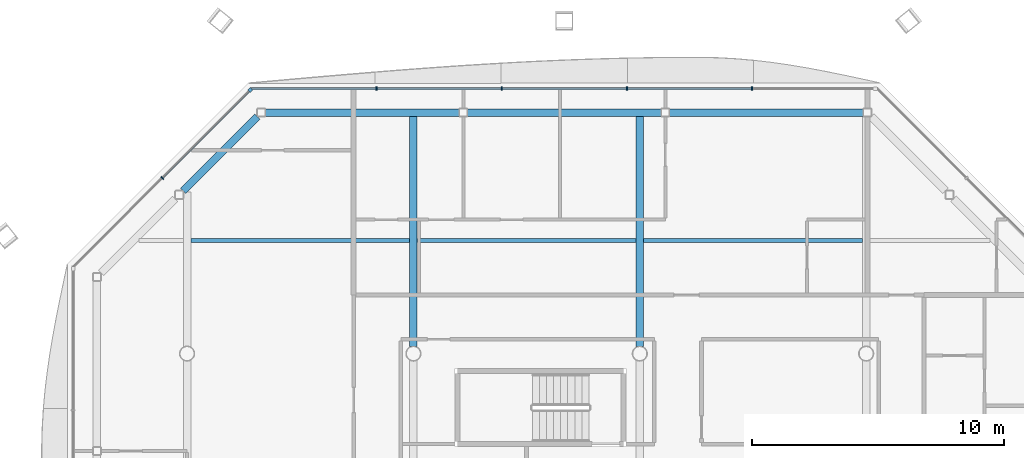
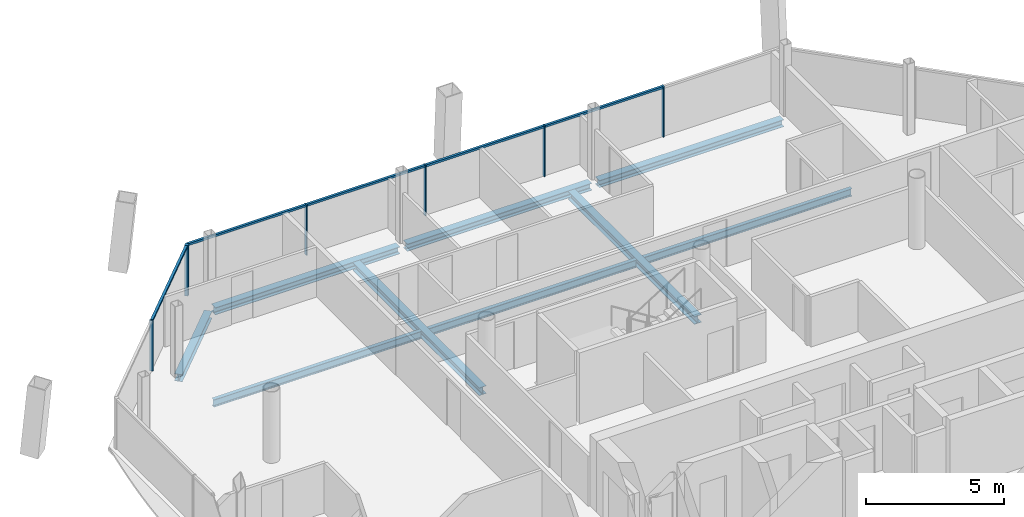
# One storey, part 9 of 19: 11 members, 9 beams, 2 elements without a shape of their own.
"""IFC4 building model written with IfcOpenShell, lengths in metres."""

from ifc_helpers import new_model, si_unit, direction, frame, origin, origin_2d, place, context, subcontext, project, spatial, rectangle, i_section, extrude, material, material_profile, profile_set, type_object, element, aggregate, save


model = new_model("IFC4")

# Units and contexts
model_context = context("Model", 3, precision=1e-05, world=origin(), true_north=direction((0.0, 1.0)))
body_context = subcontext(model_context, "Body", "Model", "MODEL_VIEW")
ifc_project = project(units=[si_unit("LENGTHUNIT", "METRE"), si_unit("AREAUNIT", "SQUARE_METRE"), si_unit("VOLUMEUNIT", "CUBIC_METRE"), si_unit("PLANEANGLEUNIT", "RADIAN"), si_unit("MASSUNIT", "GRAM", prefix="KILO")], contexts=[model_context])

# Site, building, storey
site_placement = place(None, origin())
site = spatial("IfcSite", under=ifc_project, at=site_placement, CompositionType="ELEMENT")
building_placement = place(site_placement, origin())
building = spatial("IfcBuilding", under=site, at=building_placement, Name="Tskaro Facet Tower", CompositionType="ELEMENT")
storey_placement = place(building_placement, frame((0.0, 0.0, 206.85009765625)))
storey = spatial("IfcBuildingStorey", under=building, at=storey_placement, Name="L53", CompositionType="ELEMENT", Elevation=206.85009765625)

# Curtain wall, member
ifc_material_1 = material(Name="Bronze anodised aluminium 6063-T6", Category="aluminium")
curtain_wall_type = type_object("IfcCurtainWallType", Name="Bronze residence curtain wall (FW3)", PredefinedType="NOTDEFINED", material=ifc_material_1)
curtain_wall_1_placement = place(storey_placement, origin())
curtain_wall_1 = element("IfcCurtainWall", 1, at=curtain_wall_1_placement, inside=storey, type_object=curtain_wall_type, Name="FW3 north-west facet L53", PredefinedType="NOTDEFINED")
ifc_material_profile_1 = material_profile(ifc_material_1, rectangle(XDim=0.139892578125, YDim=0.139892578125, at=origin_2d()), Name="Corner post 140x140")
ifc_profile_set_1 = profile_set([ifc_material_profile_1], Name="Bronze anodised aluminium 6063-T6")
member_type_1 = type_object("IfcMemberType", Name="FW3 bronze corner post 140x140", PredefinedType="MULLION", material=ifc_profile_set_1)
member_1_placement = place(storey_placement, frame((-15.488525390625, 19.4833984375, 0.0), z_axis=(0.0, 0.0, 1.0), x_axis=(-0.707106781187, -0.707106781187, 0.0)))
member_1 = element("IfcMember", 2, at=member_1_placement, type_object=member_type_1, Name="FW3 north-west corner post", PredefinedType="MULLION", context=body_context, shape_type="SweptSolid", body=[
    extrude(rectangle(XDim=0.139892578125, YDim=0.139892578125, at=origin_2d()), origin(), (0.0, 0.0, 1.0), 2.239990234375),
])

# Curtain wall, members
curtain_wall_2_placement = place(storey_placement, origin())
curtain_wall_2 = element("IfcCurtainWall", 3, at=curtain_wall_2_placement, inside=storey, type_object=curtain_wall_type, Name="FW3 north facet L53", PredefinedType="NOTDEFINED")
ifc_material_profile_2 = material_profile(ifc_material_1, rectangle(XDim=0.050048828125, YDim=0.139892578125, at=origin_2d()), Name="Mullion 50x140")
ifc_profile_set_2 = profile_set([ifc_material_profile_2], Name="Bronze anodised aluminium 6063-T6")
member_type_2 = type_object("IfcMemberType", Name="FW3 bronze mullion 50x140", PredefinedType="MULLION", material=ifc_profile_set_2)
member_2_placement = place(storey_placement, frame((4.46337890625, 19.532958984375, 0.0), z_axis=(0.0, 0.0, 1.0), x_axis=(-1.0, 0.0, 0.0)))
member_2 = element("IfcMember", 4, at=member_2_placement, type_object=member_type_2, Name="FW3 north mullion 1", PredefinedType="MULLION", context=body_context, shape_type="SweptSolid", body=[
    extrude(rectangle(XDim=0.050048828125, YDim=0.139892578125, at=origin_2d()), origin(), (0.0, 0.0, 1.0), 2.239990234375),
])
member_3_placement = place(storey_placement, frame((-0.51220703125, 19.532958984375, 0.0), z_axis=(0.0, 0.0, 1.0), x_axis=(-1.0, 0.0, 0.0)))
member_3 = element("IfcMember", 5, at=member_3_placement, type_object=member_type_2, Name="FW3 north mullion 2", PredefinedType="MULLION", context=body_context, shape_type="SweptSolid", body=[
    extrude(rectangle(XDim=0.050048828125, YDim=0.139892578125, at=origin_2d()), origin(), (0.0, 0.0, 1.0), 2.239990234375),
])
member_4_placement = place(storey_placement, frame((-5.48779296875, 19.532958984375, 0.0), z_axis=(0.0, 0.0, 1.0), x_axis=(-1.0, 0.0, 0.0)))
member_4 = element("IfcMember", 6, at=member_4_placement, type_object=member_type_2, Name="FW3 north mullion 3", PredefinedType="MULLION", context=body_context, shape_type="SweptSolid", body=[
    extrude(rectangle(XDim=0.050048828125, YDim=0.139892578125, at=origin_2d()), origin(), (0.0, 0.0, 1.0), 2.239990234375),
])
member_5_placement = place(storey_placement, frame((-10.46337890625, 19.532958984375, 0.0), z_axis=(0.0, 0.0, 1.0), x_axis=(-1.0, 0.0, 0.0)))
member_5 = element("IfcMember", 7, at=member_5_placement, type_object=member_type_2, Name="FW3 north mullion 4", PredefinedType="MULLION", context=body_context, shape_type="SweptSolid", body=[
    extrude(rectangle(XDim=0.050048828125, YDim=0.139892578125, at=origin_2d()), origin(), (0.0, 0.0, 1.0), 2.239990234375),
])

# Member
member_6_placement = place(storey_placement, frame((-18.986083984375, 15.986083984375, 0.0), z_axis=(0.0, 0.0, 1.0), x_axis=(-0.707106781187, -0.707106781187, 0.0)))
member_6 = element("IfcMember", 8, at=member_6_placement, type_object=member_type_2, Name="FW3 north-west mullion 1", PredefinedType="MULLION", context=body_context, shape_type="SweptSolid", body=[
    extrude(rectangle(XDim=0.050048828125, YDim=0.139892578125, at=origin_2d()), origin(), (0.0, 0.0, 1.0), 2.239990234375),
])

ifc_material_profile_3 = material_profile(ifc_material_1, rectangle(XDim=0.10009765625, YDim=0.090087890625, at=origin_2d()), Name="Transom 100x90")
ifc_profile_set_3 = profile_set([ifc_material_profile_3], Name="Bronze anodised aluminium 6063-T6")
member_type_3 = type_object("IfcMemberType", Name="FW3 bronze transom 100x90", PredefinedType="USERDEFINED", material=ifc_profile_set_3)
member_7_placement = place(storey_placement, frame((4.4384765625, 19.532958984375, 2.19482421875), z_axis=(-1.0, 0.0, 0.0), x_axis=(0.0, -1.0, 0.0)))
member_7 = element("IfcMember", 9, at=member_7_placement, type_object=member_type_3, Name="FW3 north transom 2.1", ObjectType="TRANSOM", PredefinedType="USERDEFINED", context=body_context, shape_type="SweptSolid", body=[
    extrude(rectangle(XDim=0.10009765625, YDim=0.090087890625, at=origin_2d()), origin(), (0.0, 0.0, 1.0), 4.92578125),
])

member_8_placement = place(storey_placement, frame((-0.537109375, 19.532958984375, 2.19482421875), z_axis=(-1.0, 0.0, 0.0), x_axis=(0.0, -1.0, 0.0)))
member_8 = element("IfcMember", 10, at=member_8_placement, type_object=member_type_3, Name="FW3 north transom 3.1", ObjectType="TRANSOM", PredefinedType="USERDEFINED", context=body_context, shape_type="SweptSolid", body=[
    extrude(rectangle(XDim=0.10009765625, YDim=0.090087890625, at=origin_2d()), origin(), (0.0, 0.0, 1.0), 4.92578125),
])

member_9_placement = place(storey_placement, frame((-5.5126953125, 19.532958984375, 2.19482421875), z_axis=(-1.0, 0.0, 0.0), x_axis=(0.0, -1.0, 0.0)))
member_9 = element("IfcMember", 11, at=member_9_placement, type_object=member_type_3, Name="FW3 north transom 4.1", ObjectType="TRANSOM", PredefinedType="USERDEFINED", context=body_context, shape_type="SweptSolid", body=[
    extrude(rectangle(XDim=0.10009765625, YDim=0.090087890625, at=origin_2d()), origin(), (0.0, 0.0, 1.0), 4.92578125),
])

member_10_placement = place(storey_placement, frame((-10.48828125, 19.532958984375, 2.19482421875), z_axis=(-1.0, 0.0, 0.0), x_axis=(0.0, -1.0, 0.0)))
member_10 = element("IfcMember", 12, at=member_10_placement, type_object=member_type_3, Name="FW3 north transom 5.1", ObjectType="TRANSOM", PredefinedType="USERDEFINED", context=body_context, shape_type="SweptSolid", body=[
    extrude(rectangle(XDim=0.10009765625, YDim=0.090087890625, at=origin_2d()), origin(), (0.0, 0.0, 1.0), 4.95068359375),
])

aggregate(curtain_wall_2, [member_2, member_3, member_4, member_5, member_7, member_8, member_9, member_10])

member_11_placement = place(storey_placement, frame((-15.5380859375, 19.43408203125, 2.19482421875), z_axis=(-0.707081617692, -0.707131943786, 0.0), x_axis=(0.707131943786, -0.707081617692, 0.0)))
member_11 = element("IfcMember", 13, at=member_11_placement, type_object=member_type_3, Name="FW3 north-west transom 1.1", ObjectType="TRANSOM", PredefinedType="USERDEFINED", context=body_context, shape_type="SweptSolid", body=[
    extrude(rectangle(XDim=0.10009765625, YDim=0.090087890625, at=origin_2d()), origin(), (0.0, 0.0, 1.0), 4.85107421875),
])

aggregate(curtain_wall_1, [member_1, member_6, member_11])

# Beams
ifc_material_2 = material(Name="Steel S355J2", Category="steel")
ifc_material_profile_4 = material_profile(ifc_material_2, i_section(OverallWidth=0.300048828125, OverallDepth=0.320068359375, WebThickness=0.011474609375, FlangeThickness=0.0205078125, FilletRadius=0.027099609375, at=origin_2d()), Name="HE 320 B")
ifc_profile_set_4 = profile_set([ifc_material_profile_4], Name="Steel S355J2")
beam_type_1 = type_object("IfcBeamType", Name="HE 320 B ring beam", PredefinedType="BEAM", material=ifc_profile_set_4)
beam_1_placement = place(storey_placement, frame((8.89111328125, 18.5830078125, -0.300048828125), z_axis=(-1.0, 0.0, 0.0), x_axis=(0.0, -1.0, 0.0)))
element("IfcBeam", 14, at=beam_1_placement, inside=storey, type_object=beam_type_1, Name="HE 320 B EB12-4", PredefinedType="BEAM", context=body_context, shape_type="SweptSolid", body=[
    extrude(i_section(OverallWidth=0.300048828125, OverallDepth=0.320068359375, WebThickness=0.011474609375, FlangeThickness=0.0205078125, FilletRadius=0.027099609375, at=origin_2d()), origin(), (0.0, 0.0, 1.0), 7.72119140625),
])
beam_2_placement = place(storey_placement, frame((0.860107421875, 18.5830078125, -0.300048828125), z_axis=(-1.0, 0.0, 0.0), x_axis=(0.0, -1.0, 0.0)))
element("IfcBeam", 15, at=beam_2_placement, inside=storey, type_object=beam_type_1, Name="HE 320 B EB13-4", PredefinedType="BEAM", context=body_context, shape_type="SweptSolid", body=[
    extrude(i_section(OverallWidth=0.300048828125, OverallDepth=0.320068359375, WebThickness=0.011474609375, FlangeThickness=0.0205078125, FilletRadius=0.027099609375, at=origin_2d()), origin(), (0.0, 0.0, 1.0), 7.72021484375),
])
beam_3_placement = place(storey_placement, frame((-7.169921875, 18.5830078125, -0.300048828125), z_axis=(-1.0, 0.0, 0.0), x_axis=(0.0, -1.0, 0.0)))
element("IfcBeam", 16, at=beam_3_placement, inside=storey, type_object=beam_type_1, Name="HE 320 B EB14-4", PredefinedType="BEAM", context=body_context, shape_type="SweptSolid", body=[
    extrude(i_section(OverallWidth=0.300048828125, OverallDepth=0.320068359375, WebThickness=0.011474609375, FlangeThickness=0.0205078125, FilletRadius=0.027099609375, at=origin_2d()), origin(), (0.0, 0.0, 1.0), 7.72119140625),
])
beam_4_placement = place(storey_placement, frame((-15.206787109375, 18.422119140625, -0.300048828125), z_axis=(-0.706989603829, -0.70722393913, 0.0), x_axis=(0.70722393913, -0.706989603829, 0.0)))
element("IfcBeam", 17, at=beam_4_placement, inside=storey, type_object=beam_type_1, Name="HE 320 B EB15-4", PredefinedType="BEAM", context=body_context, shape_type="SweptSolid", body=[
    extrude(i_section(OverallWidth=0.300048828125, OverallDepth=0.320068359375, WebThickness=0.011474609375, FlangeThickness=0.0205078125, FilletRadius=0.027099609375, at=origin_2d()), origin(), (0.0, 0.0, 1.0), 4.16748046875),
])
ifc_material_profile_5 = material_profile(ifc_material_2, i_section(OverallWidth=0.300048828125, OverallDepth=0.35009765625, WebThickness=0.010009765625, FlangeThickness=0.017578125, FilletRadius=0.027099609375, at=origin_2d()), Name="HE 360 A")
ifc_profile_set_5 = profile_set([ifc_material_profile_5], Name="Steel S355J2")
beam_type_2 = type_object("IfcBeamType", Name="HE 360 A girder", PredefinedType="BEAM", material=ifc_profile_set_5)
for number, where, z_axis, x_axis, name in (
    (18, (-9.0, 9.27490234375, -0.315185546875), (0.0, 1.0, 0.0), (-1.0, 0.0, 0.0), "HE 360 A GB3-3-4"),
    (19, (0.0, 9.27490234375, -0.315185546875), (0.0, 1.0, 0.0), (-1.0, 0.0, 0.0), "HE 360 A GB4-3-4"),
):
    element("IfcBeam", number, at=place(storey_placement, frame(where, z_axis=z_axis, x_axis=x_axis)), inside=storey, type_object=beam_type_2, Name=name, PredefinedType="BEAM", context=body_context, shape_type="SweptSolid", body=[
        extrude(i_section(OverallWidth=0.300048828125, OverallDepth=0.35009765625, WebThickness=0.010009765625, FlangeThickness=0.017578125, FilletRadius=0.027099609375, at=origin_2d()), origin(), (0.0, 0.0, 1.0), 9.158203125),
    ])
ifc_material_profile_6 = material_profile(ifc_material_2, i_section(OverallWidth=0.159912109375, OverallDepth=0.330078125, WebThickness=0.007568359375, FlangeThickness=0.011474609375, FilletRadius=0.01806640625, at=origin_2d()), Name="IPE 330")
ifc_profile_set_6 = profile_set([ifc_material_profile_6], Name="Steel S355J2")
beam_type_3 = type_object("IfcBeamType", Name="IPE 330 secondary beam", PredefinedType="BEAM", material=ifc_profile_set_6)
for number, where, z_axis, x_axis, name in (
    (20, (-17.85009765625, 13.5, -0.30517578125), (1.0, 0.0, 0.0), (0.0, 1.0, 0.0), "IPE 330 SB5a-2-4"),
    (21, (-8.85009765625, 13.5, -0.30517578125), (1.0, 0.0, 0.0), (0.0, 1.0, 0.0), "IPE 330 SB5a-3-4"),
    (22, (0.14990234375, 13.5, -0.30517578125), (1.0, 0.0, 0.0), (0.0, 1.0, 0.0), "IPE 330 SB5a-4-4"),
):
    element("IfcBeam", number, at=place(storey_placement, frame(where, z_axis=z_axis, x_axis=x_axis)), inside=storey, type_object=beam_type_3, Name=name, PredefinedType="BEAM", context=body_context, shape_type="SweptSolid", body=[
        extrude(i_section(OverallWidth=0.159912109375, OverallDepth=0.330078125, WebThickness=0.007568359375, FlangeThickness=0.011474609375, FilletRadius=0.01806640625, at=origin_2d()), origin(), (0.0, 0.0, 1.0), 8.7001953125),
    ])

save(model, "model.ifc")
